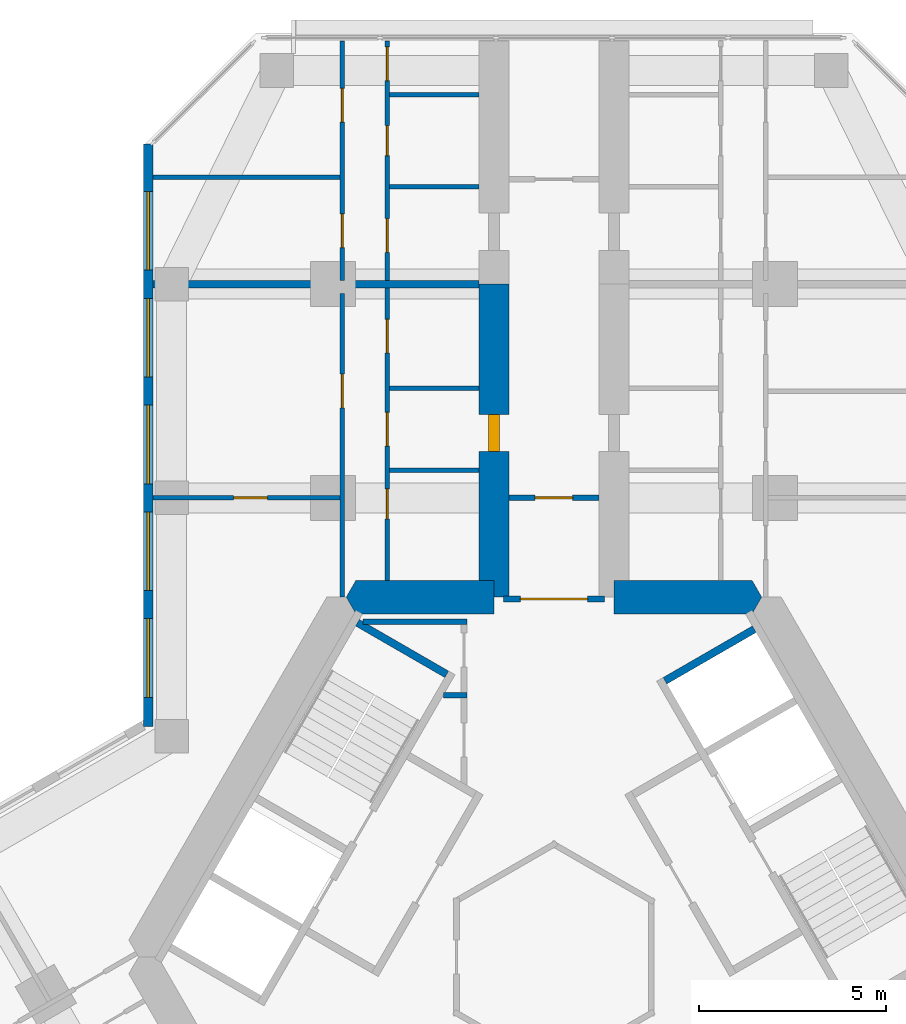
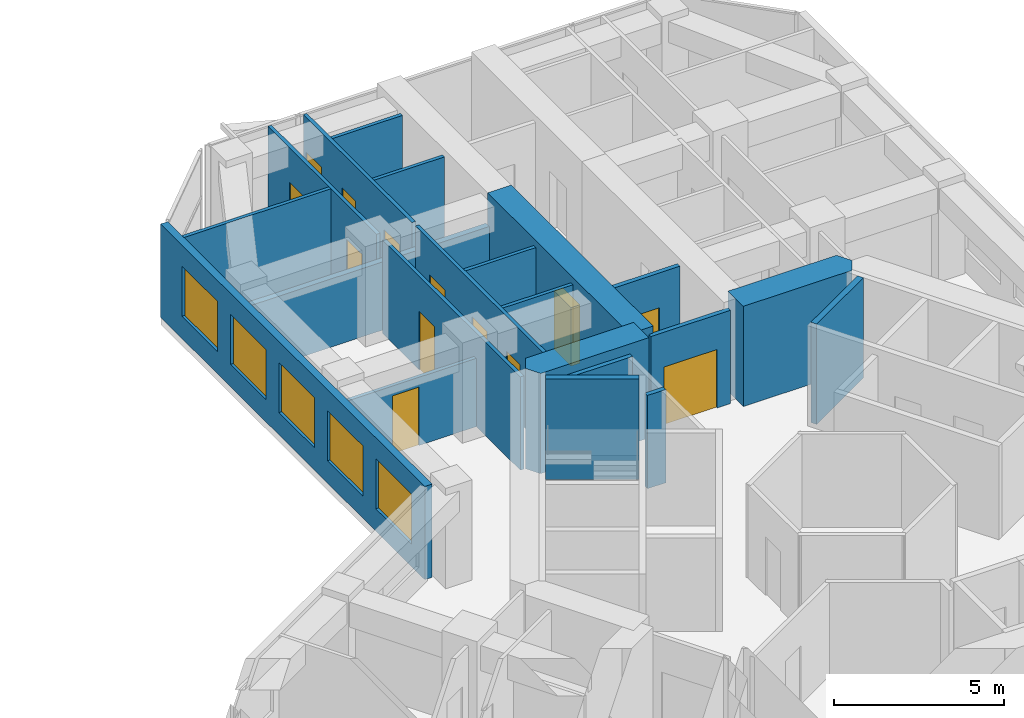
# One storey, part 17 of 20: 21 walls, 13 doors, 5 windows, 18 openings.
"""IFC4 building model written with IfcOpenShell, lengths in metres."""

from ifc_helpers import new_model, si_unit, direction, frame, frame_2d, origin, place, context, subcontext, project, spatial, polyline, rectangle, outline, extrude, material, layer, layer_set, type_object, element, fill, save


model = new_model("IFC4")

# Units and contexts
model_context = context("Model", 3, precision=1e-05, world=origin(), true_north=direction((0.0, 1.0)))
body_context = subcontext(model_context, "Body", "Model", "MODEL_VIEW")
ifc_project = project(units=[si_unit("LENGTHUNIT", "METRE"), si_unit("AREAUNIT", "SQUARE_METRE"), si_unit("VOLUMEUNIT", "CUBIC_METRE"), si_unit("PLANEANGLEUNIT", "RADIAN"), si_unit("MASSUNIT", "GRAM", prefix="KILO")], contexts=[model_context])

# Site, building, storey
site_placement = place(None, origin())
site = spatial("IfcSite", under=ifc_project, at=site_placement, CompositionType="ELEMENT")
building_placement = place(site_placement, origin())
building = spatial("IfcBuilding", under=site, at=building_placement, Name="Kosmar Iwan School Tower", CompositionType="ELEMENT")
storey_placement = place(building_placement, frame((0.0, 0.0, 176.0)))
storey = spatial("IfcBuildingStorey", under=building, at=storey_placement, Name="L44", CompositionType="ELEMENT", Elevation=176.0)

# Walls
ifc_material_1 = material(Name="Gypsum board on steel studs, fire-rated", Category="steel")
ifc_layer_1 = layer(ifc_material_1, 0.14990234375)
ifc_layer_set_1 = layer_set([ifc_layer_1], Name="Core room partition 150")
wall_type_1 = type_object("IfcWallType", Name="Core room partition 150", PredefinedType="PARTITIONING", material=ifc_layer_set_1)
wall_1_placement = place(storey_placement, frame((-2.324951171875, 6.985107421875, 0.0), z_axis=(0.0, 0.0, 1.0), x_axis=(-1.0, 0.0, 0.0)))
element("IfcWall", 1, at=wall_1_placement, inside=storey, type_object=wall_type_1, Name="Core room partition L44-CW2", PredefinedType="PARTITIONING", context=body_context, shape_type="SweptSolid", body=[
    extrude(rectangle(XDim=0.623779296875, YDim=0.14990234375, at=frame_2d((0.31201171875, 0.0))), origin(), (0.0, 0.0, 1.0), 3.35009765625),
])
wall_2_placement = place(storey_placement, frame((-5.089599609375, 8.93994140625, 0.0), z_axis=(0.0, 0.0, 1.0), x_axis=(1.0, 0.0, 0.0)))
element("IfcWall", 2, at=wall_2_placement, inside=storey, type_object=wall_type_1, Name="Core room partition L44-CW3", PredefinedType="PARTITIONING", context=body_context, shape_type="SweptSolid", body=[
    extrude(rectangle(XDim=2.7646484375, YDim=0.14990234375, at=frame_2d((1.38232421875, 0.0))), origin(), (0.0, 0.0, 1.0), 3.35009765625),
])
ifc_material_2 = material(Name="Concrete C50/60", Category="concrete")
ifc_layer_2 = layer(ifc_material_2, 0.89990234375)
ifc_layer_set_2 = layer_set([ifc_layer_2], Name="Core wall 900")
wall_type_2 = type_object("IfcWallType", Name="Core wall 900", PredefinedType="SHEAR", material=ifc_layer_set_2)
wall_3_placement = place(storey_placement, origin())
element("IfcWall", 3, at=wall_3_placement, inside=storey, type_object=wall_type_2, Name="Core wall F090a", PredefinedType="SHEAR", context=body_context, shape_type="SweptSolid", body=[
    extrude(outline(polyline([(1.60009765625, 9.14990234375), (5.28271484375, 9.14990234375), (5.54248046875, 9.60009765625), (5.28271484375, 10.050048828125), (1.60009765625, 10.050048828125), (1.60009765625, 9.14990234375)])), origin(), (0.0, 0.0, 1.0), 3.60009765625),
])
wall_4_placement = place(storey_placement, origin())
element("IfcWall", 4, at=wall_4_placement, inside=storey, type_object=wall_type_2, Name="Core wall F090b", PredefinedType="SHEAR", context=body_context, shape_type="SweptSolid", body=[
    extrude(outline(polyline([(-5.28271484375, 9.14990234375), (-1.60009765625, 9.14990234375), (-1.60009765625, 10.050048828125), (-5.28271484375, 10.050048828125), (-5.54248046875, 9.60009765625), (-5.28271484375, 9.14990234375)])), origin(), (0.0, 0.0, 1.0), 3.60009765625),
])

# Wall, opening, door
ifc_material_3 = material(Name="Concrete C50/60", Category="concrete")
ifc_layer_3 = layer(ifc_material_3, 0.800048828125)
ifc_layer_set_3 = layer_set([ifc_layer_3], Name="Corridor buttress wall 800")
wall_type_3 = type_object("IfcWallType", Name="Corridor buttress wall 800", PredefinedType="SHEAR", material=ifc_layer_set_3)
wall_5_placement = place(storey_placement, frame((-1.60009765625, 9.60009765625, 0.0), z_axis=(0.0, 0.0, 1.0), x_axis=(0.0, 1.0, 0.0)))
wall_5 = element("IfcWall", 5, at=wall_5_placement, inside=storey, type_object=wall_type_3, Name="Corridor wall AL", PredefinedType="SHEAR", context=body_context, shape_type="SweptSolid", body=[
    extrude(rectangle(XDim=8.349853515625, YDim=0.800048828125, at=frame_2d((4.1748046875, 0.0))), origin(), (0.0, 0.0, 1.0), 3.60009765625),
])
opening_1_placement = place(wall_5_placement, frame((3.8798828125, 0.0, 0.0)))
opening_1 = element("IfcOpeningElement", 6, at=opening_1_placement, cuts=wall_5, Name="Opening D1", PredefinedType="OPENING", context=body_context, shape_type="SweptSolid", body=[
    extrude(rectangle(XDim=1.0, YDim=2.10009765625, at=frame_2d((0.5, 1.050048828125))), frame((0.0, 0.412109375, 0.0), z_axis=(0.0, -1.0, 0.0), x_axis=(1.0, 0.0, 0.0)), (0.0, 0.0, 1.0), 0.823974609375),
])
ifc_material_4 = material(Name="Timber fire door in steel frame", Category="steel")
door_type_1 = type_object("IfcDoorType", Name="Flat entrance door 1000x2100", OperationType="SINGLE_SWING_LEFT", PredefinedType="DOOR", material=ifc_material_4)
door_1_placement = place(opening_1_placement, origin())
door_1 = element("IfcDoor", 7, at=door_1_placement, inside=storey, type_object=door_type_1, Name="Flat L44-AL1 entrance door", OperationType="SINGLE_SWING_LEFT", OverallHeight=2.10009765625, OverallWidth=1.0, PredefinedType="DOOR", context=body_context, shape_type="SweptSolid", body=[
    extrude(rectangle(XDim=1.0, YDim=2.10009765625, at=frame_2d((0.5, 1.050048828125))), frame((0.0, 0.14990234375, 0.0), z_axis=(0.0, -1.0, 0.0), x_axis=(1.0, 0.0, 0.0)), (0.0, 0.0, 1.0), 0.300048828125),
])
fill(opening_1, door_1)

ifc_material_5 = material(Name="Gypsum board on steel studs, fire-rated", Category="steel")
ifc_layer_4 = layer(ifc_material_5, 0.14990234375)
ifc_layer_set_4 = layer_set([ifc_layer_4], Name="Corridor end wall 150")
wall_type_4 = type_object("IfcWallType", Name="Corridor end wall 150", PredefinedType="PARTITIONING", material=ifc_layer_set_4)
wall_6_placement = place(storey_placement, frame((1.199951171875, 12.25, 0.0), z_axis=(0.0, 0.0, 1.0), x_axis=(-1.0, 0.0, 0.0)))
wall_6 = element("IfcWall", 8, at=wall_6_placement, inside=storey, type_object=wall_type_4, Name="Partition L44-A-HW", PredefinedType="PARTITIONING", context=body_context, shape_type="SweptSolid", body=[
    extrude(rectangle(XDim=2.39990234375, YDim=0.14990234375, at=frame_2d((1.199951171875, 0.0))), origin(), (0.0, 0.0, 1.0), 3.35009765625),
])
opening_2_placement = place(wall_6_placement, frame((0.699951171875, 0.0, 0.0)))
opening_2 = element("IfcOpeningElement", 9, at=opening_2_placement, cuts=wall_6, Name="Opening D13", PredefinedType="OPENING", context=body_context, shape_type="SweptSolid", body=[
    extrude(rectangle(XDim=1.0, YDim=2.10009765625, at=frame_2d((0.5, 1.050048828125))), frame((0.0, 0.0869140625, 0.0), z_axis=(0.0, -1.0, 0.0), x_axis=(1.0, 0.0, 0.0)), (0.0, 0.0, 1.0), 0.173828125),
])
ifc_material_6 = material(Name="Timber fire door with vision panel", Category="wood")
door_type_2 = type_object("IfcDoorType", Name="Corridor end door 1000x2100", OperationType="SINGLE_SWING_LEFT", PredefinedType="DOOR", material=ifc_material_6)
door_2_placement = place(opening_2_placement, origin())
door_2 = element("IfcDoor", 10, at=door_2_placement, inside=storey, type_object=door_type_2, Name="Hashti door L44-A", OperationType="SINGLE_SWING_LEFT", OverallHeight=2.10009765625, OverallWidth=1.0, PredefinedType="DOOR", context=body_context, shape_type="SweptSolid", body=[
    extrude(rectangle(XDim=1.0, YDim=2.10009765625, at=frame_2d((0.5, 1.050048828125))), frame((0.0, 0.02490234375, 0.0), z_axis=(0.0, -1.0, 0.0), x_axis=(1.0, 0.0, 0.0)), (0.0, 0.0, 1.0), 0.050048828125),
])
fill(opening_2, door_2)

ifc_material_7 = material(Name="Steel framed glazed screen", Category="steel")
ifc_layer_5 = layer(ifc_material_7, 0.14990234375)
ifc_layer_set_5 = layer_set([ifc_layer_5], Name="Corridor screen wall 150")
wall_type_5 = type_object("IfcWallType", Name="Corridor screen wall 150", PredefinedType="PARTITIONING", material=ifc_layer_set_5)
wall_7_placement = place(storey_placement, frame((1.35009765625, 9.550048828125, 0.0), z_axis=(0.0, 0.0, 1.0), x_axis=(-1.0, 0.0, 0.0)))
wall_7 = element("IfcWall", 11, at=wall_7_placement, inside=storey, type_object=wall_type_5, Name="Corridor screen A L44", PredefinedType="PARTITIONING", context=body_context, shape_type="SweptSolid", body=[
    extrude(rectangle(XDim=2.7001953125, YDim=0.14990234375, at=frame_2d((1.35009765625, 0.0))), origin(), (0.0, 0.0, 1.0), 3.35009765625),
])
opening_3_placement = place(wall_7_placement, frame((0.449951171875, 0.0, 0.0)))
opening_3 = element("IfcOpeningElement", 12, at=opening_3_placement, cuts=wall_7, Name="Opening D9", PredefinedType="OPENING", context=body_context, shape_type="SweptSolid", body=[
    extrude(rectangle(XDim=1.800048828125, YDim=2.10009765625, at=frame_2d((0.89990234375, 1.050048828125))), frame((0.0, 0.0869140625, 0.0), z_axis=(0.0, -1.0, 0.0), x_axis=(1.0, 0.0, 0.0)), (0.0, 0.0, 1.0), 0.173828125),
])
ifc_material_8 = material(Name="Steel framed glazed smoke door", Category="steel")
door_type_3 = type_object("IfcDoorType", Name="Corridor smoke door pair 1800x2100", OperationType="DOUBLE_DOOR_DOUBLE_SWING", PredefinedType="DOOR", material=ifc_material_8)
door_3_placement = place(opening_3_placement, origin())
door_3 = element("IfcDoor", 13, at=door_3_placement, inside=storey, type_object=door_type_3, Name="Corridor doors A L44", OperationType="DOUBLE_DOOR_DOUBLE_SWING", OverallHeight=2.10009765625, OverallWidth=1.800048828125, PredefinedType="DOOR", context=body_context, shape_type="SweptSolid", body=[
    extrude(rectangle(XDim=1.800048828125, YDim=2.10009765625, at=frame_2d((0.89990234375, 1.050048828125))), frame((0.0, 0.02490234375, 0.0), z_axis=(0.0, -1.0, 0.0), x_axis=(1.0, 0.0, 0.0)), (0.0, 0.0, 1.0), 0.050048828125),
])
fill(opening_3, door_3)

# Wall, openings, doors
ifc_material_9 = material(Name="Gypsum board on steel studs", Category="steel")
ifc_layer_6 = layer(ifc_material_9, 0.1201171875)
ifc_layer_set_6 = layer_set([ifc_layer_6], Name="Dwelling partition 120")
wall_type_6 = type_object("IfcWallType", Name="Dwelling partition 120", PredefinedType="PARTITIONING", material=ifc_layer_set_6)
wall_8_placement = place(storey_placement, frame((-4.449951171875, 10.050048828125, 0.0), z_axis=(0.0, 0.0, 1.0), x_axis=(0.0, 1.0, 0.0)))
wall_8 = element("IfcWall", 14, at=wall_8_placement, inside=storey, type_object=wall_type_6, Name="Partition L44-AL1-W1", PredefinedType="PARTITIONING", context=body_context, shape_type="SweptSolid", body=[
    extrude(rectangle(XDim=7.800048828125, YDim=0.1201171875, at=frame_2d((3.89990234375, 0.0))), origin(), (0.0, 0.0, 1.0), 3.35009765625),
])
opening_4_placement = place(wall_8_placement, frame((1.639892578125, 0.0, 0.0)))
opening_4 = element("IfcOpeningElement", 15, at=opening_4_placement, cuts=wall_8, Name="Opening D3", PredefinedType="OPENING", context=body_context, shape_type="SweptSolid", body=[
    extrude(rectangle(XDim=0.800048828125, YDim=2.10009765625, at=frame_2d((0.39990234375, 1.050048828125))), frame((0.0, 0.072021484375, 0.0), z_axis=(0.0, -1.0, 0.0), x_axis=(1.0, 0.0, 0.0)), (0.0, 0.0, 1.0), 0.14404296875),
])
opening_5_placement = place(wall_8_placement, frame((3.580078125, 0.0, 0.0)))
opening_5 = element("IfcOpeningElement", 16, at=opening_5_placement, cuts=wall_8, Name="Opening D2", PredefinedType="OPENING", context=body_context, shape_type="SweptSolid", body=[
    extrude(rectangle(XDim=0.89990234375, YDim=2.10009765625, at=frame_2d((0.449951171875, 1.050048828125))), frame((0.0, 0.072021484375, 0.0), z_axis=(0.0, -1.0, 0.0), x_axis=(1.0, 0.0, 0.0)), (0.0, 0.0, 1.0), 0.14404296875),
])
opening_6_placement = place(wall_8_placement, frame((6.06494140625, 0.0, 0.0)))
opening_6 = element("IfcOpeningElement", 17, at=opening_6_placement, cuts=wall_8, Name="Opening D2", PredefinedType="OPENING", context=body_context, shape_type="SweptSolid", body=[
    extrude(rectangle(XDim=0.89990234375, YDim=2.10009765625, at=frame_2d((0.449951171875, 1.050048828125))), frame((0.0, 0.072021484375, 0.0), z_axis=(0.0, -1.0, 0.0), x_axis=(1.0, 0.0, 0.0)), (0.0, 0.0, 1.0), 0.14404296875),
])
ifc_material_10 = material(Name="Timber door in timber frame", Category="wood")
door_type_4 = type_object("IfcDoorType", Name="Internal door 900x2100", OperationType="SINGLE_SWING_LEFT", PredefinedType="DOOR", material=ifc_material_10)
door_4_placement = place(opening_5_placement, origin())
door_4 = element("IfcDoor", 18, at=door_4_placement, inside=storey, type_object=door_type_4, Name="Entrance hall door L44-AL1-S2", OperationType="SINGLE_SWING_RIGHT", OverallHeight=2.10009765625, OverallWidth=0.89990234375, PredefinedType="DOOR", context=body_context, shape_type="SweptSolid", body=[
    extrude(rectangle(XDim=0.89990234375, YDim=2.10009765625, at=frame_2d((0.449951171875, 1.050048828125))), frame((0.0, 0.02490234375, 0.0), z_axis=(0.0, -1.0, 0.0), x_axis=(1.0, 0.0, 0.0)), (0.0, 0.0, 1.0), 0.050048828125),
])
fill(opening_5, door_4)
door_5_placement = place(opening_6_placement, origin())
door_5 = element("IfcDoor", 19, at=door_5_placement, inside=storey, type_object=door_type_4, Name="Pantry door L44-AL1-S3", OperationType="SINGLE_SWING_RIGHT", OverallHeight=2.10009765625, OverallWidth=0.89990234375, PredefinedType="DOOR", context=body_context, shape_type="SweptSolid", body=[
    extrude(rectangle(XDim=0.89990234375, YDim=2.10009765625, at=frame_2d((0.449951171875, 1.050048828125))), frame((0.0, 0.02490234375, 0.0), z_axis=(0.0, -1.0, 0.0), x_axis=(1.0, 0.0, 0.0)), (0.0, 0.0, 1.0), 0.050048828125),
])
fill(opening_6, door_5)
ifc_material_11 = material(Name="Timber door in timber frame", Category="wood")
door_type_5 = type_object("IfcDoorType", Name="Sanitary room door 800x2100", OperationType="SINGLE_SWING_LEFT", PredefinedType="DOOR", material=ifc_material_11)
door_6_placement = place(opening_4_placement, origin())
door_6 = element("IfcDoor", 20, at=door_6_placement, inside=storey, type_object=door_type_5, Name="Bathroom door L44-AL1-S1", OperationType="SINGLE_SWING_LEFT", OverallHeight=2.10009765625, OverallWidth=0.800048828125, PredefinedType="DOOR", context=body_context, shape_type="SweptSolid", body=[
    extrude(rectangle(XDim=0.800048828125, YDim=2.10009765625, at=frame_2d((0.39990234375, 1.050048828125))), frame((0.0, 0.02490234375, 0.0), z_axis=(0.0, -1.0, 0.0), x_axis=(1.0, 0.0, 0.0)), (0.0, 0.0, 1.0), 0.050048828125),
])
fill(opening_4, door_6)

# Wall, opening, door
wall_9_placement = place(storey_placement, frame((-5.64990234375, 9.60009765625, 0.0), z_axis=(0.0, 0.0, 1.0), x_axis=(0.0, 1.0, 0.0)))
wall_9 = element("IfcWall", 21, at=wall_9_placement, inside=storey, type_object=wall_type_6, Name="Partition L44-AL1-W2", PredefinedType="PARTITIONING", context=body_context, shape_type="SweptSolid", body=[
    extrude(rectangle(XDim=8.099853515625, YDim=0.1201171875, at=frame_2d((4.0498046875, 0.0))), origin(), (0.0, 0.0, 1.0), 3.35009765625),
])
opening_7_placement = place(wall_9_placement, frame((5.050048828125, 0.0, 0.0)))
opening_7 = element("IfcOpeningElement", 22, at=opening_7_placement, cuts=wall_9, Name="Opening D2", PredefinedType="OPENING", context=body_context, shape_type="SweptSolid", body=[
    extrude(rectangle(XDim=0.89990234375, YDim=2.10009765625, at=frame_2d((0.449951171875, 1.050048828125))), frame((0.0, 0.072021484375, 0.0), z_axis=(0.0, -1.0, 0.0), x_axis=(1.0, 0.0, 0.0)), (0.0, 0.0, 1.0), 0.14404296875),
])
door_7_placement = place(opening_7_placement, origin())
door_7 = element("IfcDoor", 23, at=door_7_placement, inside=storey, type_object=door_type_4, Name="Studio living room door L44-AL1-F2", OperationType="SINGLE_SWING_RIGHT", OverallHeight=2.10009765625, OverallWidth=0.89990234375, PredefinedType="DOOR", context=body_context, shape_type="SweptSolid", body=[
    extrude(rectangle(XDim=0.89990234375, YDim=2.10009765625, at=frame_2d((0.449951171875, 1.050048828125))), frame((0.0, 0.02490234375, 0.0), z_axis=(0.0, -1.0, 0.0), x_axis=(1.0, 0.0, 0.0)), (0.0, 0.0, 1.0), 0.050048828125),
])
fill(opening_7, door_7)

wall_10_placement = place(storey_placement, frame((-5.7099609375, 12.25, 0.0), z_axis=(0.0, 0.0, 1.0), x_axis=(-1.0, 0.0, 0.0)))
wall_10 = element("IfcWall", 24, at=wall_10_placement, inside=storey, type_object=wall_type_6, Name="Partition L44-AL1-X1", PredefinedType="PARTITIONING", context=body_context, shape_type="SweptSolid", body=[
    extrude(rectangle(XDim=4.989990234375, YDim=0.1201171875, at=frame_2d((2.4951171875, 0.0))), origin(), (0.0, 0.0, 1.0), 2.449951171875),
])
opening_8_placement = place(wall_10_placement, frame((1.93994140625, 0.0, 0.0)))
opening_8 = element("IfcOpeningElement", 25, at=opening_8_placement, cuts=wall_10, Name="Opening D2", PredefinedType="OPENING", context=body_context, shape_type="SweptSolid", body=[
    extrude(rectangle(XDim=0.89990234375, YDim=2.10009765625, at=frame_2d((0.449951171875, 1.050048828125))), frame((0.0, 0.072021484375, 0.0), z_axis=(0.0, -1.0, 0.0), x_axis=(1.0, 0.0, 0.0)), (0.0, 0.0, 1.0), 0.14404296875),
])
door_8_placement = place(opening_8_placement, origin())
door_8 = element("IfcDoor", 26, at=door_8_placement, inside=storey, type_object=door_type_4, Name="Kitchen and dining room door L44-AL1-F1", OperationType="SINGLE_SWING_LEFT", OverallHeight=2.10009765625, OverallWidth=0.89990234375, PredefinedType="DOOR", context=body_context, shape_type="SweptSolid", body=[
    extrude(rectangle(XDim=0.89990234375, YDim=2.10009765625, at=frame_2d((0.449951171875, 1.050048828125))), frame((0.0, 0.02490234375, 0.0), z_axis=(0.0, -1.0, 0.0), x_axis=(1.0, 0.0, 0.0)), (0.0, 0.0, 1.0), 0.050048828125),
])
fill(opening_8, door_8)

# Walls
for number, where, z_axis, x_axis, name in (
    (27, (-2.0, 12.97998046875, 0.0), (0.0, 0.0, 1.0), (-1.0, 0.0, 0.0), "Partition L44-AL1-Y1"),
    (28, (-2.0, 15.179931640625, 0.0), (0.0, 0.0, 1.0), (-1.0, 0.0, 0.0), "Partition L44-AL1-Y2"),
):
    element("IfcWall", number, at=place(storey_placement, frame(where, z_axis=z_axis, x_axis=x_axis)), inside=storey, type_object=wall_type_6, Name=name, PredefinedType="PARTITIONING", context=body_context, shape_type="SweptSolid", body=[
        extrude(rectangle(XDim=2.389892578125, YDim=0.1201171875, at=frame_2d((1.19482421875, 0.0))), origin(), (0.0, 0.0, 1.0), 3.35009765625),
    ])

# Wall, openings, doors
wall_11_placement = place(storey_placement, frame((-4.449951171875, 18.050048828125, 0.0), z_axis=(0.0, 0.0, 1.0), x_axis=(0.0, 1.0, 0.0)))
wall_11 = element("IfcWall", 29, at=wall_11_placement, inside=storey, type_object=wall_type_6, Name="Partition L44-AL2-W1", PredefinedType="PARTITIONING", context=body_context, shape_type="SweptSolid", body=[
    extrude(rectangle(XDim=6.39501953125, YDim=0.1201171875, at=frame_2d((3.197509765625, 0.0))), origin(), (0.0, 0.0, 1.0), 3.35009765625),
])
opening_9_placement = place(wall_11_placement, frame((0.75, 0.0, 0.0)))
opening_9 = element("IfcOpeningElement", 30, at=opening_9_placement, cuts=wall_11, Name="Opening D2", PredefinedType="OPENING", context=body_context, shape_type="SweptSolid", body=[
    extrude(rectangle(XDim=0.89990234375, YDim=2.10009765625, at=frame_2d((0.449951171875, 1.050048828125))), frame((0.0, 0.072021484375, 0.0), z_axis=(0.0, -1.0, 0.0), x_axis=(1.0, 0.0, 0.0)), (0.0, 0.0, 1.0), 0.14404296875),
])
opening_10_placement = place(wall_11_placement, frame((3.330078125, 0.0, 0.0)))
opening_10 = element("IfcOpeningElement", 31, at=opening_10_placement, cuts=wall_11, Name="Opening D3", PredefinedType="OPENING", context=body_context, shape_type="SweptSolid", body=[
    extrude(rectangle(XDim=0.800048828125, YDim=2.10009765625, at=frame_2d((0.39990234375, 1.050048828125))), frame((0.0, 0.072021484375, 0.0), z_axis=(0.0, -1.0, 0.0), x_axis=(1.0, 0.0, 0.0)), (0.0, 0.0, 1.0), 0.14404296875),
])
opening_11_placement = place(wall_11_placement, frame((5.330078125, 0.0, 0.0)))
opening_11 = element("IfcOpeningElement", 32, at=opening_11_placement, cuts=wall_11, Name="Opening D2", PredefinedType="OPENING", context=body_context, shape_type="SweptSolid", body=[
    extrude(rectangle(XDim=0.89990234375, YDim=2.10009765625, at=frame_2d((0.449951171875, 1.050048828125))), frame((0.0, 0.072021484375, 0.0), z_axis=(0.0, -1.0, 0.0), x_axis=(1.0, 0.0, 0.0)), (0.0, 0.0, 1.0), 0.14404296875),
])
door_9_placement = place(opening_9_placement, origin())
door_9 = element("IfcDoor", 33, at=door_9_placement, inside=storey, type_object=door_type_4, Name="Entrance hall door L44-AL2-S1", OperationType="SINGLE_SWING_LEFT", OverallHeight=2.10009765625, OverallWidth=0.89990234375, PredefinedType="DOOR", context=body_context, shape_type="SweptSolid", body=[
    extrude(rectangle(XDim=0.89990234375, YDim=2.10009765625, at=frame_2d((0.449951171875, 1.050048828125))), frame((0.0, 0.02490234375, 0.0), z_axis=(0.0, -1.0, 0.0), x_axis=(1.0, 0.0, 0.0)), (0.0, 0.0, 1.0), 0.050048828125),
])
fill(opening_9, door_9)
door_10_placement = place(opening_11_placement, origin())
door_10 = element("IfcDoor", 34, at=door_10_placement, inside=storey, type_object=door_type_4, Name="Pantry door L44-AL2-S3", OperationType="SINGLE_SWING_RIGHT", OverallHeight=2.10009765625, OverallWidth=0.89990234375, PredefinedType="DOOR", context=body_context, shape_type="SweptSolid", body=[
    extrude(rectangle(XDim=0.89990234375, YDim=2.10009765625, at=frame_2d((0.449951171875, 1.050048828125))), frame((0.0, 0.02490234375, 0.0), z_axis=(0.0, -1.0, 0.0), x_axis=(1.0, 0.0, 0.0)), (0.0, 0.0, 1.0), 0.050048828125),
])
fill(opening_11, door_10)
door_11_placement = place(opening_10_placement, origin())
door_11 = element("IfcDoor", 35, at=door_11_placement, inside=storey, type_object=door_type_5, Name="Bathroom door L44-AL2-S2", OperationType="SINGLE_SWING_RIGHT", OverallHeight=2.10009765625, OverallWidth=0.800048828125, PredefinedType="DOOR", context=body_context, shape_type="SweptSolid", body=[
    extrude(rectangle(XDim=0.800048828125, YDim=2.10009765625, at=frame_2d((0.39990234375, 1.050048828125))), frame((0.0, 0.02490234375, 0.0), z_axis=(0.0, -1.0, 0.0), x_axis=(1.0, 0.0, 0.0)), (0.0, 0.0, 1.0), 0.050048828125),
])
fill(opening_10, door_11)

wall_12_placement = place(storey_placement, frame((-5.64990234375, 18.050048828125, 0.0), z_axis=(0.0, 0.0, 1.0), x_axis=(0.0, 1.0, 0.0)))
wall_12 = element("IfcWall", 36, at=wall_12_placement, inside=storey, type_object=wall_type_6, Name="Partition L44-AL2-W2", PredefinedType="PARTITIONING", context=body_context, shape_type="SweptSolid", body=[
    extrude(rectangle(XDim=6.39501953125, YDim=0.1201171875, at=frame_2d((3.197509765625, 0.0))), origin(), (0.0, 0.0, 1.0), 3.35009765625),
])
opening_12_placement = place(wall_12_placement, frame((0.875, 0.0, 0.0)))
opening_12 = element("IfcOpeningElement", 37, at=opening_12_placement, cuts=wall_12, Name="Opening D2", PredefinedType="OPENING", context=body_context, shape_type="SweptSolid", body=[
    extrude(rectangle(XDim=0.89990234375, YDim=2.10009765625, at=frame_2d((0.449951171875, 1.050048828125))), frame((0.0, 0.072021484375, 0.0), z_axis=(0.0, -1.0, 0.0), x_axis=(1.0, 0.0, 0.0)), (0.0, 0.0, 1.0), 0.14404296875),
])
opening_13_placement = place(wall_12_placement, frame((4.22509765625, 0.0, 0.0)))
opening_13 = element("IfcOpeningElement", 38, at=opening_13_placement, cuts=wall_12, Name="Opening D2", PredefinedType="OPENING", context=body_context, shape_type="SweptSolid", body=[
    extrude(rectangle(XDim=0.89990234375, YDim=2.10009765625, at=frame_2d((0.449951171875, 1.050048828125))), frame((0.0, 0.072021484375, 0.0), z_axis=(0.0, -1.0, 0.0), x_axis=(1.0, 0.0, 0.0)), (0.0, 0.0, 1.0), 0.14404296875),
])
door_12_placement = place(opening_12_placement, origin())
door_12 = element("IfcDoor", 39, at=door_12_placement, inside=storey, type_object=door_type_4, Name="Family room and kitchen door L44-AL2-F1", OperationType="SINGLE_SWING_LEFT", OverallHeight=2.10009765625, OverallWidth=0.89990234375, PredefinedType="DOOR", context=body_context, shape_type="SweptSolid", body=[
    extrude(rectangle(XDim=0.89990234375, YDim=2.10009765625, at=frame_2d((0.449951171875, 1.050048828125))), frame((0.0, 0.02490234375, 0.0), z_axis=(0.0, -1.0, 0.0), x_axis=(1.0, 0.0, 0.0)), (0.0, 0.0, 1.0), 0.050048828125),
])
fill(opening_12, door_12)
door_13_placement = place(opening_13_placement, origin())
door_13 = element("IfcDoor", 40, at=door_13_placement, inside=storey, type_object=door_type_4, Name="Bedroom 1 door L44-AL2-F2", OperationType="SINGLE_SWING_RIGHT", OverallHeight=2.10009765625, OverallWidth=0.89990234375, PredefinedType="DOOR", context=body_context, shape_type="SweptSolid", body=[
    extrude(rectangle(XDim=0.89990234375, YDim=2.10009765625, at=frame_2d((0.449951171875, 1.050048828125))), frame((0.0, 0.02490234375, 0.0), z_axis=(0.0, -1.0, 0.0), x_axis=(1.0, 0.0, 0.0)), (0.0, 0.0, 1.0), 0.050048828125),
])
fill(opening_13, door_13)

# Walls
wall_13_placement = place(storey_placement, frame((-5.7099609375, 20.800048828125, 0.0), z_axis=(0.0, 0.0, 1.0), x_axis=(-1.0, 0.0, 0.0)))
element("IfcWall", 41, at=wall_13_placement, inside=storey, type_object=wall_type_6, Name="Partition L44-AL2-X1", PredefinedType="PARTITIONING", context=body_context, shape_type="SweptSolid", body=[
    extrude(rectangle(XDim=4.989990234375, YDim=0.1201171875, at=frame_2d((2.4951171875, 0.0))), origin(), (0.0, 0.0, 1.0), 3.35009765625),
])
for number, where, z_axis, x_axis, name in (
    (42, (-2.0, 20.550048828125, 0.0), (0.0, 0.0, 1.0), (-1.0, 0.0, 0.0), "Partition L44-AL2-Y1"),
    (43, (-2.0, 23.010009765625, 0.0), (0.0, 0.0, 1.0), (-1.0, 0.0, 0.0), "Partition L44-AL2-Y2"),
):
    element("IfcWall", number, at=place(storey_placement, frame(where, z_axis=z_axis, x_axis=x_axis)), inside=storey, type_object=wall_type_6, Name=name, PredefinedType="PARTITIONING", context=body_context, shape_type="SweptSolid", body=[
        extrude(rectangle(XDim=2.389892578125, YDim=0.1201171875, at=frame_2d((1.19482421875, 0.0))), origin(), (0.0, 0.0, 1.0), 3.35009765625),
    ])

# Wall, openings, windows
ifc_material_12 = material(Name="Black aluminium rainscreen on insulated framing", Category="aluminium")
ifc_layer_7 = layer(ifc_material_12, 0.25)
ifc_layer_set_7 = layer_set([ifc_layer_7], Name="External wall rainscreen 250")
wall_type_7 = type_object("IfcWallType", Name="External wall rainscreen 250", PredefinedType="SOLIDWALL", material=ifc_layer_set_7)
wall_14_placement = place(storey_placement, frame((-10.824951171875, 6.14794921875, 0.0), z_axis=(0.0, 0.0, 1.0), x_axis=(0.0, 1.0, 0.0)))
wall_14 = element("IfcWall", 44, at=wall_14_placement, inside=storey, type_object=wall_type_7, Name="External wall AL L44", PredefinedType="SOLIDWALL", context=body_context, shape_type="SweptSolid", body=[
    extrude(rectangle(XDim=15.537353515625, YDim=0.25, at=frame_2d((7.7685546875, 0.0))), origin(), (0.0, 0.0, 1.0), 3.35009765625),
])
opening_14_placement = place(wall_14_placement, frame((0.777099609375, 0.0, 0.800048828125)))
opening_14 = element("IfcOpeningElement", 45, at=opening_14_placement, cuts=wall_14, Name="Opening W4", PredefinedType="OPENING", context=body_context, shape_type="SweptSolid", body=[
    extrude(rectangle(XDim=2.10009765625, YDim=1.800048828125, at=frame_2d((1.050048828125, 0.89990234375))), frame((0.0, 0.136962890625, 0.0), z_axis=(0.0, -1.0, 0.0), x_axis=(1.0, 0.0, 0.0)), (0.0, 0.0, 1.0), 0.27392578125),
])
opening_15_placement = place(wall_14_placement, frame((3.626953125, 0.0, 0.800048828125)))
opening_15 = element("IfcOpeningElement", 46, at=opening_15_placement, cuts=wall_14, Name="Opening W4", PredefinedType="OPENING", context=body_context, shape_type="SweptSolid", body=[
    extrude(rectangle(XDim=2.10009765625, YDim=1.800048828125, at=frame_2d((1.050048828125, 0.89990234375))), frame((0.0, 0.136962890625, 0.0), z_axis=(0.0, -1.0, 0.0), x_axis=(1.0, 0.0, 0.0)), (0.0, 0.0, 1.0), 0.27392578125),
])
opening_16_placement = place(wall_14_placement, frame((6.47705078125, 0.0, 0.800048828125)))
opening_16 = element("IfcOpeningElement", 47, at=opening_16_placement, cuts=wall_14, Name="Opening W4", PredefinedType="OPENING", context=body_context, shape_type="SweptSolid", body=[
    extrude(rectangle(XDim=2.10009765625, YDim=1.800048828125, at=frame_2d((1.050048828125, 0.89990234375))), frame((0.0, 0.136962890625, 0.0), z_axis=(0.0, -1.0, 0.0), x_axis=(1.0, 0.0, 0.0)), (0.0, 0.0, 1.0), 0.27392578125),
])
opening_17_placement = place(wall_14_placement, frame((9.326904296875, 0.0, 0.800048828125)))
opening_17 = element("IfcOpeningElement", 48, at=opening_17_placement, cuts=wall_14, Name="Opening W4", PredefinedType="OPENING", context=body_context, shape_type="SweptSolid", body=[
    extrude(rectangle(XDim=2.10009765625, YDim=1.800048828125, at=frame_2d((1.050048828125, 0.89990234375))), frame((0.0, 0.136962890625, 0.0), z_axis=(0.0, -1.0, 0.0), x_axis=(1.0, 0.0, 0.0)), (0.0, 0.0, 1.0), 0.27392578125),
])
opening_18_placement = place(wall_14_placement, frame((12.177001953125, 0.0, 0.800048828125)))
opening_18 = element("IfcOpeningElement", 49, at=opening_18_placement, cuts=wall_14, Name="Opening W4", PredefinedType="OPENING", context=body_context, shape_type="SweptSolid", body=[
    extrude(rectangle(XDim=2.10009765625, YDim=1.800048828125, at=frame_2d((1.050048828125, 0.89990234375))), frame((0.0, 0.136962890625, 0.0), z_axis=(0.0, -1.0, 0.0), x_axis=(1.0, 0.0, 0.0)), (0.0, 0.0, 1.0), 0.27392578125),
])
ifc_material_13 = material(Name="Black aluminium frame with dark triple glazing", Category="aluminium")
window_type = type_object("IfcWindowType", Name="Window 2100x1800", PartitioningType="SINGLE_PANEL", PredefinedType="WINDOW", material=ifc_material_13)
window_1_placement = place(opening_14_placement, origin())
window_1 = element("IfcWindow", 50, at=window_1_placement, inside=storey, type_object=window_type, Name="Window AL L44 -1", OverallHeight=1.800048828125, OverallWidth=2.10009765625, PartitioningType="SINGLE_PANEL", PredefinedType="WINDOW", context=body_context, shape_type="SweptSolid", body=[
    extrude(rectangle(XDim=2.10009765625, YDim=1.800048828125, at=frame_2d((1.050048828125, 0.89990234375))), frame((0.0, 0.030029296875, 0.0), z_axis=(0.0, -1.0, 0.0), x_axis=(1.0, 0.0, 0.0)), (0.0, 0.0, 1.0), 0.06005859375),
])
fill(opening_14, window_1)
window_2_placement = place(opening_15_placement, origin())
window_2 = element("IfcWindow", 51, at=window_2_placement, inside=storey, type_object=window_type, Name="Window AL L44 0", OverallHeight=1.800048828125, OverallWidth=2.10009765625, PartitioningType="SINGLE_PANEL", PredefinedType="WINDOW", context=body_context, shape_type="SweptSolid", body=[
    extrude(rectangle(XDim=2.10009765625, YDim=1.800048828125, at=frame_2d((1.050048828125, 0.89990234375))), frame((0.0, 0.030029296875, 0.0), z_axis=(0.0, -1.0, 0.0), x_axis=(1.0, 0.0, 0.0)), (0.0, 0.0, 1.0), 0.06005859375),
])
fill(opening_15, window_2)
window_3_placement = place(opening_16_placement, origin())
window_3 = element("IfcWindow", 52, at=window_3_placement, inside=storey, type_object=window_type, Name="Window AL L44 1", OverallHeight=1.800048828125, OverallWidth=2.10009765625, PartitioningType="SINGLE_PANEL", PredefinedType="WINDOW", context=body_context, shape_type="SweptSolid", body=[
    extrude(rectangle(XDim=2.10009765625, YDim=1.800048828125, at=frame_2d((1.050048828125, 0.89990234375))), frame((0.0, 0.030029296875, 0.0), z_axis=(0.0, -1.0, 0.0), x_axis=(1.0, 0.0, 0.0)), (0.0, 0.0, 1.0), 0.06005859375),
])
fill(opening_16, window_3)
window_4_placement = place(opening_17_placement, origin())
window_4 = element("IfcWindow", 53, at=window_4_placement, inside=storey, type_object=window_type, Name="Window AL L44 2", OverallHeight=1.800048828125, OverallWidth=2.10009765625, PartitioningType="SINGLE_PANEL", PredefinedType="WINDOW", context=body_context, shape_type="SweptSolid", body=[
    extrude(rectangle(XDim=2.10009765625, YDim=1.800048828125, at=frame_2d((1.050048828125, 0.89990234375))), frame((0.0, 0.030029296875, 0.0), z_axis=(0.0, -1.0, 0.0), x_axis=(1.0, 0.0, 0.0)), (0.0, 0.0, 1.0), 0.06005859375),
])
fill(opening_17, window_4)
window_5_placement = place(opening_18_placement, origin())
window_5 = element("IfcWindow", 54, at=window_5_placement, inside=storey, type_object=window_type, Name="Window AL L44 3", OverallHeight=1.800048828125, OverallWidth=2.10009765625, PartitioningType="SINGLE_PANEL", PredefinedType="WINDOW", context=body_context, shape_type="SweptSolid", body=[
    extrude(rectangle(XDim=2.10009765625, YDim=1.800048828125, at=frame_2d((1.050048828125, 0.89990234375))), frame((0.0, 0.030029296875, 0.0), z_axis=(0.0, -1.0, 0.0), x_axis=(1.0, 0.0, 0.0)), (0.0, 0.0, 1.0), 0.06005859375),
])
fill(opening_18, window_5)

# Walls
ifc_material_14 = material(Name="Concrete C50/60", Category="concrete")
ifc_layer_8 = layer(ifc_material_14, 0.199951171875)
ifc_layer_set_8 = layer_set([ifc_layer_8], Name="Lift shaft wall 200")
wall_type_8 = type_object("IfcWallType", Name="Lift shaft wall 200", PredefinedType="SHEAR", material=ifc_layer_set_8)
wall_15_placement = place(storey_placement, frame((2.962646484375, 7.368408203125, 0.0), z_axis=(0.0, 0.0, 1.0), x_axis=(0.866027397988, 0.499996545922, 0.0)))
element("IfcWall", 55, at=wall_15_placement, inside=storey, type_object=wall_type_8, Name="Lift shaft wall AC 2", PredefinedType="SHEAR", context=body_context, shape_type="SweptSolid", body=[
    extrude(rectangle(XDim=2.75, YDim=0.199951171875, at=frame_2d((1.375, 0.0))), origin(), (0.0, 0.0, 1.0), 3.60009765625),
])
ifc_material_15 = material(Name="Concrete block masonry", Category="masonry")
ifc_layer_9 = layer(ifc_material_15, 0.199951171875)
ifc_layer_set_9 = layer_set([ifc_layer_9], Name="Party wall 200")
wall_type_9 = type_object("IfcWallType", Name="Party wall 200", PredefinedType="PARTITIONING", material=ifc_layer_set_9)
wall_16_placement = place(storey_placement, frame((-2.0, 17.949951171875, 0.0), z_axis=(0.0, 0.0, 1.0), x_axis=(-1.0, 0.0, 0.0)))
element("IfcWall", 56, at=wall_16_placement, inside=storey, type_object=wall_type_9, Name="Partition L44-AL2-PW", PredefinedType="PARTITIONING", context=body_context, shape_type="SweptSolid", body=[
    extrude(rectangle(XDim=8.699951171875, YDim=0.199951171875, at=frame_2d((4.35009765625, 0.0))), origin(), (0.0, 0.0, 1.0), 2.449951171875),
])
ifc_material_16 = material(Name="Concrete C50/60", Category="concrete")
ifc_layer_10 = layer(ifc_material_16, 0.199951171875)
ifc_layer_set_10 = layer_set([ifc_layer_10], Name="Stair enclosure wall 200")
wall_type_10 = type_object("IfcWallType", Name="Stair enclosure wall 200", PredefinedType="SHEAR", material=ifc_layer_set_10)
wall_17_placement = place(storey_placement, frame((-2.862548828125, 7.541748046875, 0.0), z_axis=(0.0, 0.0, 1.0), x_axis=(-0.866027397988, 0.499996545922, 0.0)))
element("IfcWall", 57, at=wall_17_placement, inside=storey, type_object=wall_type_10, Name="Stair ST2 wall", PredefinedType="SHEAR", context=body_context, shape_type="SweptSolid", body=[
    extrude(rectangle(XDim=2.75, YDim=0.199951171875, at=frame_2d((1.375, 0.0))), origin(), (0.0, 0.0, 1.0), 3.60009765625),
])

save(model, "model.ifc")
